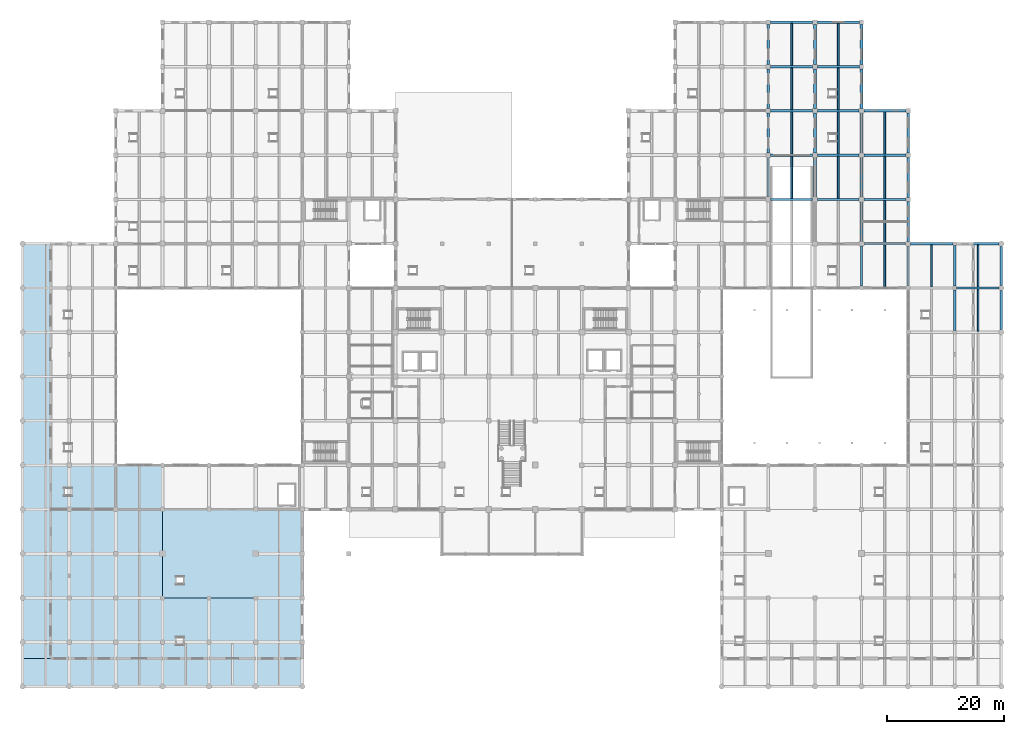
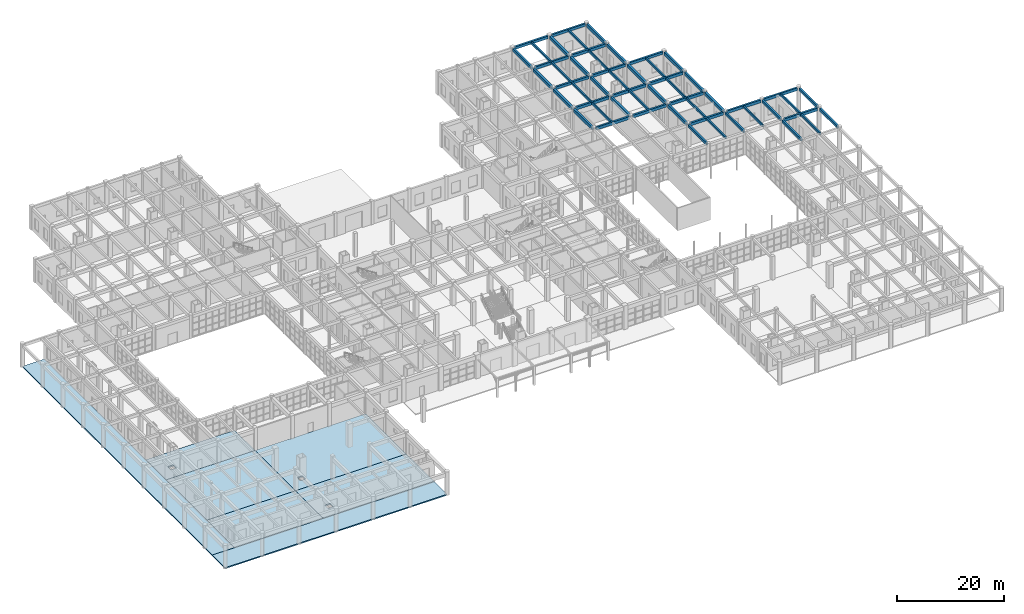
# One storey, part 57 of 95: 54 beams, 7 slabs.
"""IFC4 building model written with IfcOpenShell, lengths in metres."""

from ifc_helpers import new_model, si_unit, direction, frame, origin, origin_2d, place, context, subcontext, project, spatial, polyline, rectangle, outline, extrude, material, layer, layer_set, material_profile, profile_set, type_object, element, save


model = new_model("IFC4")

# Units and contexts
model_context = context("Model", 3, precision=1e-05, world=origin(), true_north=direction((0.0, 1.0)))
body_context = subcontext(model_context, "Body", "Model", "MODEL_VIEW")
ifc_project = project(units=[si_unit("LENGTHUNIT", "METRE"), si_unit("AREAUNIT", "SQUARE_METRE"), si_unit("VOLUMEUNIT", "CUBIC_METRE"), si_unit("PLANEANGLEUNIT", "RADIAN"), si_unit("MASSUNIT", "GRAM", prefix="KILO")], contexts=[model_context])

# Site, building, storey
site_placement = place(None, origin())
site = spatial("IfcSite", under=ifc_project, at=site_placement, CompositionType="ELEMENT")
building_placement = place(site_placement, origin())
building = spatial("IfcBuilding", under=site, at=building_placement, Name="Zantavel Square City Hall", CompositionType="ELEMENT")
storey_placement = place(building_placement, origin())
storey = spatial("IfcBuildingStorey", under=building, at=storey_placement, Name="L01", CompositionType="ELEMENT", Elevation=0.0)

# Beams
ifc_material_1 = material(Name="Concrete C35/45", Category="concrete")
ifc_material_profile_1 = material_profile(ifc_material_1, rectangle(XDim=0.3798828125, YDim=0.580078125, at=origin_2d()), Name="RC 380x580")
ifc_profile_set_1 = profile_set([ifc_material_profile_1], Name="Concrete C35/45")
beam_type_1 = type_object("IfcBeamType", Name="Annex Secondary Beam RC 380x580 C35/45", PredefinedType="BEAM", material=ifc_profile_set_1)
beam_1_placement = place(storey_placement, frame((144.0, 68.77490234375, 4.8701171875), z_axis=(0.0, 1.0, 0.0), x_axis=(-1.0, 0.0, 0.0)))
element("IfcBeam", 1, at=beam_1_placement, inside=storey, type_object=beam_type_1, Name="L01 Beam BMY-L01-1440-0684", PredefinedType="BEAM", context=body_context, shape_type="SweptSolid", body=[
    extrude(rectangle(XDim=0.3798828125, YDim=0.580078125, at=origin_2d()), origin(), (0.0, 0.0, 1.0), 6.8251953125),
])
beam_2_placement = place(storey_placement, frame((152.0, 68.77490234375, 4.8701171875), z_axis=(0.0, 1.0, 0.0), x_axis=(-1.0, 0.0, 0.0)))
element("IfcBeam", 2, at=beam_2_placement, inside=storey, type_object=beam_type_1, Name="L01 Beam BMY-L01-1520-0684", PredefinedType="BEAM", context=body_context, shape_type="SweptSolid", body=[
    extrude(rectangle(XDim=0.3798828125, YDim=0.580078125, at=origin_2d()), origin(), (0.0, 0.0, 1.0), 6.85009765625),
])
ifc_material_profile_2 = material_profile(ifc_material_1, rectangle(XDim=0.300048828125, YDim=0.5, at=origin_2d()), Name="RC 300x500")
ifc_profile_set_2 = profile_set([ifc_material_profile_2], Name="Concrete C35/45")
beam_type_2 = type_object("IfcBeamType", Name="Floor Joist RC 300x500 C35/45", PredefinedType="JOIST", material=ifc_profile_set_2)
beam_3_placement = place(storey_placement, frame((132.0, 83.800048828125, 4.909912109375), z_axis=(0.0, 1.0, 0.0), x_axis=(-1.0, 0.0, 0.0)))
element("IfcBeam", 3, at=beam_3_placement, inside=storey, type_object=beam_type_2, Name="L01 Floor Joist JST-L01-1320-0836", PredefinedType="JOIST", context=body_context, shape_type="SweptSolid", body=[
    extrude(rectangle(XDim=0.300048828125, YDim=0.5, at=origin_2d()), origin(), (0.0, 0.0, 1.0), 7.199951171875),
])
beam_4_placement = place(storey_placement, frame((132.0, 91.39990234375, 4.909912109375), z_axis=(0.0, 1.0, 0.0), x_axis=(-1.0, 0.0, 0.0)))
element("IfcBeam", 4, at=beam_4_placement, inside=storey, type_object=beam_type_2, Name="L01 Floor Joist JST-L01-1320-0912", PredefinedType="JOIST", context=body_context, shape_type="SweptSolid", body=[
    extrude(rectangle(XDim=0.300048828125, YDim=0.5, at=origin_2d()), origin(), (0.0, 0.0, 1.0), 7.2001953125),
])
for number, where, z_axis, x_axis, name in (
    (5, (132.0, 99.0, 4.909912109375), (0.0, 1.0, 0.0), (-1.0, 0.0, 0.0), "L01 Floor Joist JST-L01-1320-0988"),
    (6, (132.0, 106.60009765625, 4.909912109375), (0.0, 1.0, 0.0), (-1.0, 0.0, 0.0), "L01 Floor Joist JST-L01-1320-1064"),
    (7, (140.0, 83.800048828125, 4.909912109375), (0.0, 1.0, 0.0), (-1.0, 0.0, 0.0), "L01 Floor Joist JST-L01-1400-0836"),
):
    element("IfcBeam", number, at=place(storey_placement, frame(where, z_axis=z_axis, x_axis=x_axis)), inside=storey, type_object=beam_type_2, Name=name, PredefinedType="JOIST", context=body_context, shape_type="SweptSolid", body=[
        extrude(rectangle(XDim=0.300048828125, YDim=0.5, at=origin_2d()), origin(), (0.0, 0.0, 1.0), 7.199951171875),
    ])
beam_5_placement = place(storey_placement, frame((140.0, 91.39990234375, 4.909912109375), z_axis=(0.0, 1.0, 0.0), x_axis=(-1.0, 0.0, 0.0)))
element("IfcBeam", 8, at=beam_5_placement, inside=storey, type_object=beam_type_2, Name="L01 Floor Joist JST-L01-1400-0912", PredefinedType="JOIST", context=body_context, shape_type="SweptSolid", body=[
    extrude(rectangle(XDim=0.300048828125, YDim=0.5, at=origin_2d()), origin(), (0.0, 0.0, 1.0), 7.2001953125),
])
for number, where, z_axis, x_axis, name in (
    (9, (140.0, 99.0, 4.909912109375), (0.0, 1.0, 0.0), (-1.0, 0.0, 0.0), "L01 Floor Joist JST-L01-1400-0988"),
    (10, (140.0, 106.60009765625, 4.909912109375), (0.0, 1.0, 0.0), (-1.0, 0.0, 0.0), "L01 Floor Joist JST-L01-1400-1064"),
):
    element("IfcBeam", number, at=place(storey_placement, frame(where, z_axis=z_axis, x_axis=x_axis)), inside=storey, type_object=beam_type_2, Name=name, PredefinedType="JOIST", context=body_context, shape_type="SweptSolid", body=[
        extrude(rectangle(XDim=0.300048828125, YDim=0.5, at=origin_2d()), origin(), (0.0, 0.0, 1.0), 7.199951171875),
    ])
beam_6_placement = place(storey_placement, frame((148.0, 68.625, 4.909912109375), z_axis=(0.0, 1.0, 0.0), x_axis=(-1.0, 0.0, 0.0)))
element("IfcBeam", 11, at=beam_6_placement, inside=storey, type_object=beam_type_2, Name="L01 Floor Joist JST-L01-1480-0684", PredefinedType="JOIST", context=body_context, shape_type="SweptSolid", body=[
    extrude(rectangle(XDim=0.300048828125, YDim=0.5, at=origin_2d()), origin(), (0.0, 0.0, 1.0), 7.175048828125),
])
for number, where, z_axis, x_axis, name in (
    (12, (148.0, 76.199951171875, 4.909912109375), (0.0, 1.0, 0.0), (-1.0, 0.0, 0.0), "L01 Floor Joist JST-L01-1480-0760"),
    (13, (148.0, 83.800048828125, 4.909912109375), (0.0, 1.0, 0.0), (-1.0, 0.0, 0.0), "L01 Floor Joist JST-L01-1480-0836"),
):
    element("IfcBeam", number, at=place(storey_placement, frame(where, z_axis=z_axis, x_axis=x_axis)), inside=storey, type_object=beam_type_2, Name=name, PredefinedType="JOIST", context=body_context, shape_type="SweptSolid", body=[
        extrude(rectangle(XDim=0.300048828125, YDim=0.5, at=origin_2d()), origin(), (0.0, 0.0, 1.0), 7.199951171875),
    ])
beam_7_placement = place(storey_placement, frame((148.0, 91.39990234375, 4.909912109375), z_axis=(0.0, 1.0, 0.0), x_axis=(-1.0, 0.0, 0.0)))
element("IfcBeam", 14, at=beam_7_placement, inside=storey, type_object=beam_type_2, Name="L01 Floor Joist JST-L01-1480-0912", PredefinedType="JOIST", context=body_context, shape_type="SweptSolid", body=[
    extrude(rectangle(XDim=0.300048828125, YDim=0.5, at=origin_2d()), origin(), (0.0, 0.0, 1.0), 7.2001953125),
])
for number, where, z_axis, x_axis, name in (
    (15, (156.0, 68.60009765625, 4.909912109375), (0.0, 1.0, 0.0), (-1.0, 0.0, 0.0), "L01 Floor Joist JST-L01-1560-0684"),
    (16, (164.0, 61.0, 4.89990234375), (0.0, 1.0, 0.0), (-1.0, 0.0, 0.0), "L01 Floor Joist JST-L01-1640-0608"),
    (17, (164.0, 68.60009765625, 4.89990234375), (0.0, 1.0, 0.0), (-1.0, 0.0, 0.0), "L01 Floor Joist JST-L01-1640-0684"),
):
    element("IfcBeam", number, at=place(storey_placement, frame(where, z_axis=z_axis, x_axis=x_axis)), inside=storey, type_object=beam_type_2, Name=name, PredefinedType="JOIST", context=body_context, shape_type="SweptSolid", body=[
        extrude(rectangle(XDim=0.300048828125, YDim=0.5, at=origin_2d()), origin(), (0.0, 0.0, 1.0), 7.199951171875),
    ])
ifc_material_profile_3 = material_profile(ifc_material_1, rectangle(XDim=0.39990234375, YDim=0.64990234375, at=origin_2d()), Name="RC 400x650")
ifc_profile_set_3 = profile_set([ifc_material_profile_3], Name="Concrete C35/45")
beam_type_3 = type_object("IfcBeamType", Name="Frame Beam RC 400x650 C35/45", PredefinedType="BEAM", material=ifc_profile_set_3)
for number, where, z_axis, x_axis, name in (
    (18, (128.39990234375, 83.60009765625, 4.8349609375), (1.0, 0.0, 0.0), (0.0, 1.0, 0.0), "L01 Girder BMX-L01-1280-0836"),
    (19, (128.39990234375, 91.199951171875, 4.8349609375), (1.0, 0.0, 0.0), (0.0, 1.0, 0.0), "L01 Girder BMX-L01-1280-0912"),
    (20, (128.39990234375, 106.39990234375, 4.8349609375), (1.0, 0.0, 0.0), (0.0, 1.0, 0.0), "L01 Girder BMX-L01-1280-1064"),
    (21, (136.39990234375, 83.60009765625, 4.8349609375), (1.0, 0.0, 0.0), (0.0, 1.0, 0.0), "L01 Girder BMX-L01-1360-0836"),
    (22, (136.39990234375, 91.199951171875, 4.8349609375), (1.0, 0.0, 0.0), (0.0, 1.0, 0.0), "L01 Girder BMX-L01-1360-0912"),
):
    element("IfcBeam", number, at=place(storey_placement, frame(where, z_axis=z_axis, x_axis=x_axis)), inside=storey, type_object=beam_type_3, Name=name, PredefinedType="BEAM", context=body_context, shape_type="SweptSolid", body=[
        extrude(rectangle(XDim=0.39990234375, YDim=0.64990234375, at=origin_2d()), origin(), (0.0, 0.0, 1.0), 7.2001953125),
    ])
for number, where, z_axis, x_axis, name in (
    (23, (136.39990234375, 106.39990234375, 4.8349609375), (1.0, 0.0, 0.0), (0.0, 1.0, 0.0), "L01 Girder BMX-L01-1360-1064"),
    (24, (144.39990234375, 76.0, 4.8349609375), (1.0, 0.0, 0.0), (0.0, 1.0, 0.0), "L01 Girder BMX-L01-1440-0760"),
    (25, (144.39990234375, 83.60009765625, 4.8349609375), (1.0, 0.0, 0.0), (0.0, 1.0, 0.0), "L01 Girder BMX-L01-1440-0836"),
    (26, (144.39990234375, 91.199951171875, 4.8349609375), (1.0, 0.0, 0.0), (0.0, 1.0, 0.0), "L01 Girder BMX-L01-1440-0912"),
):
    element("IfcBeam", number, at=place(storey_placement, frame(where, z_axis=z_axis, x_axis=x_axis)), inside=storey, type_object=beam_type_3, Name=name, PredefinedType="BEAM", context=body_context, shape_type="SweptSolid", body=[
        extrude(rectangle(XDim=0.39990234375, YDim=0.64990234375, at=origin_2d()), origin(), (0.0, 0.0, 1.0), 7.22509765625),
    ])
beam_8_placement = place(storey_placement, frame((152.375, 76.0, 4.8349609375), z_axis=(1.0, 0.0, 0.0), x_axis=(0.0, 1.0, 0.0)))
element("IfcBeam", 27, at=beam_8_placement, inside=storey, type_object=beam_type_3, Name="L01 Girder BMX-L01-1520-0760", PredefinedType="BEAM", context=body_context, shape_type="SweptSolid", body=[
    extrude(rectangle(XDim=0.39990234375, YDim=0.64990234375, at=origin_2d()), origin(), (0.0, 0.0, 1.0), 7.300048828125),
])
for number, where, z_axis, x_axis, name in (
    (28, (160.324951171875, 68.39990234375, 4.824951171875), (1.0, 0.0, 0.0), (0.0, 1.0, 0.0), "L01 Girder BMX-L01-1600-0684"),
    (29, (160.324951171875, 76.0, 4.824951171875), (1.0, 0.0, 0.0), (0.0, 1.0, 0.0), "L01 Girder BMX-L01-1600-0760"),
):
    element("IfcBeam", number, at=place(storey_placement, frame(where, z_axis=z_axis, x_axis=x_axis)), inside=storey, type_object=beam_type_3, Name=name, PredefinedType="BEAM", context=body_context, shape_type="SweptSolid", body=[
        extrude(rectangle(XDim=0.39990234375, YDim=0.64990234375, at=origin_2d()), origin(), (0.0, 0.0, 1.0), 7.22509765625),
    ])
ifc_material_profile_4 = material_profile(ifc_material_1, rectangle(XDim=0.39990234375, YDim=0.60009765625, at=origin_2d()), Name="RC 400x600")
ifc_profile_set_4 = profile_set([ifc_material_profile_4], Name="Concrete C35/45")
beam_type_4 = type_object("IfcBeamType", Name="Perimeter Spandrel RC 400x600 C35/45", PredefinedType="SPANDREL", material=ifc_profile_set_4)
for number, where, z_axis, x_axis, name in (
    (30, (128.39990234375, 98.800048828125, 4.860107421875), (1.0, 0.0, 0.0), (0.0, 1.0, 0.0), "L01 Girder BMX-L01-1280-0988"),
    (31, (128.39990234375, 114.0, 4.860107421875), (1.0, 0.0, 0.0), (0.0, 1.0, 0.0), "L01 Girder BMX-L01-1280-1140"),
    (32, (136.39990234375, 98.800048828125, 4.860107421875), (1.0, 0.0, 0.0), (0.0, 1.0, 0.0), "L01 Girder BMX-L01-1360-0988"),
):
    element("IfcBeam", number, at=place(storey_placement, frame(where, z_axis=z_axis, x_axis=x_axis)), inside=storey, type_object=beam_type_4, Name=name, PredefinedType="SPANDREL", context=body_context, shape_type="SweptSolid", body=[
        extrude(rectangle(XDim=0.39990234375, YDim=0.60009765625, at=origin_2d()), origin(), (0.0, 0.0, 1.0), 7.2001953125),
    ])
for number, where, z_axis, x_axis, name in (
    (33, (136.39990234375, 114.0, 4.860107421875), (1.0, 0.0, 0.0), (0.0, 1.0, 0.0), "L01 Girder BMX-L01-1360-1140"),
    (34, (144.39990234375, 98.800048828125, 4.860107421875), (1.0, 0.0, 0.0), (0.0, 1.0, 0.0), "L01 Girder BMX-L01-1440-0988"),
):
    element("IfcBeam", number, at=place(storey_placement, frame(where, z_axis=z_axis, x_axis=x_axis)), inside=storey, type_object=beam_type_4, Name=name, PredefinedType="SPANDREL", context=body_context, shape_type="SweptSolid", body=[
        extrude(rectangle(XDim=0.39990234375, YDim=0.60009765625, at=origin_2d()), origin(), (0.0, 0.0, 1.0), 7.22509765625),
    ])
for number, where, z_axis, x_axis, name in (
    (35, (160.0, 61.125, 4.860107421875), (0.0, 1.0, 0.0), (-1.0, 0.0, 0.0), "L01 Beam BMY-L01-1600-0608"),
    (36, (160.0, 68.72509765625, 4.860107421875), (0.0, 1.0, 0.0), (-1.0, 0.0, 0.0), "L01 Beam BMY-L01-1600-0684"),
):
    element("IfcBeam", number, at=place(storey_placement, frame(where, z_axis=z_axis, x_axis=x_axis)), inside=storey, type_object=beam_type_4, Name=name, PredefinedType="SPANDREL", context=body_context, shape_type="SweptSolid", body=[
        extrude(rectangle(XDim=0.39990234375, YDim=0.60009765625, at=origin_2d()), origin(), (0.0, 0.0, 1.0), 6.949951171875),
    ])
for number, where, z_axis, x_axis, name in (
    (37, (168.0, 61.25, 4.85009765625), (0.0, 1.0, 0.0), (-1.0, 0.0, 0.0), "L01 Beam BMY-L01-1680-0608"),
    (38, (168.0, 68.85009765625, 4.85009765625), (0.0, 1.0, 0.0), (-1.0, 0.0, 0.0), "L01 Beam BMY-L01-1680-0684"),
):
    element("IfcBeam", number, at=place(storey_placement, frame(where, z_axis=z_axis, x_axis=x_axis)), inside=storey, type_object=beam_type_4, Name=name, PredefinedType="SPANDREL", context=body_context, shape_type="SweptSolid", body=[
        extrude(rectangle(XDim=0.39990234375, YDim=0.60009765625, at=origin_2d()), origin(), (0.0, 0.0, 1.0), 6.699951171875),
    ])
ifc_material_profile_5 = material_profile(ifc_material_1, rectangle(XDim=0.449951171875, YDim=0.699951171875, at=origin_2d()), Name="RC 450x700")
ifc_profile_set_5 = profile_set([ifc_material_profile_5], Name="Concrete C35/45")
beam_type_5 = type_object("IfcBeamType", Name="Primary Girder RC 450x700 C35/45", PredefinedType="BEAM", material=ifc_profile_set_5)
beam_9_placement = place(storey_placement, frame((128.0, 84.0, 4.81005859375), z_axis=(0.0, 1.0, 0.0), x_axis=(-1.0, 0.0, 0.0)))
element("IfcBeam", 39, at=beam_9_placement, inside=storey, type_object=beam_type_5, Name="L01 Beam BMY-L01-1280-0836", PredefinedType="BEAM", context=body_context, shape_type="SweptSolid", body=[
    extrude(rectangle(XDim=0.449951171875, YDim=0.699951171875, at=origin_2d()), origin(), (0.0, 0.0, 1.0), 6.800048828125),
])
beam_10_placement = place(storey_placement, frame((128.0, 91.60009765625, 4.81005859375), z_axis=(0.0, 1.0, 0.0), x_axis=(-1.0, 0.0, 0.0)))
element("IfcBeam", 40, at=beam_10_placement, inside=storey, type_object=beam_type_5, Name="L01 Beam BMY-L01-1280-0912", PredefinedType="BEAM", context=body_context, shape_type="SweptSolid", body=[
    extrude(rectangle(XDim=0.449951171875, YDim=0.699951171875, at=origin_2d()), origin(), (0.0, 0.0, 1.0), 6.7998046875),
])
for number, where, z_axis, x_axis, name in (
    (41, (128.0, 99.199951171875, 4.81005859375), (0.0, 1.0, 0.0), (-1.0, 0.0, 0.0), "L01 Beam BMY-L01-1280-0988"),
    (42, (128.0, 106.800048828125, 4.81005859375), (0.0, 1.0, 0.0), (-1.0, 0.0, 0.0), "L01 Beam BMY-L01-1280-1064"),
    (43, (136.0, 84.0, 4.81005859375), (0.0, 1.0, 0.0), (-1.0, 0.0, 0.0), "L01 Beam BMY-L01-1360-0836"),
):
    element("IfcBeam", number, at=place(storey_placement, frame(where, z_axis=z_axis, x_axis=x_axis)), inside=storey, type_object=beam_type_5, Name=name, PredefinedType="BEAM", context=body_context, shape_type="SweptSolid", body=[
        extrude(rectangle(XDim=0.449951171875, YDim=0.699951171875, at=origin_2d()), origin(), (0.0, 0.0, 1.0), 6.800048828125),
    ])
beam_11_placement = place(storey_placement, frame((136.0, 91.60009765625, 4.81005859375), z_axis=(0.0, 1.0, 0.0), x_axis=(-1.0, 0.0, 0.0)))
element("IfcBeam", 44, at=beam_11_placement, inside=storey, type_object=beam_type_5, Name="L01 Beam BMY-L01-1360-0912", PredefinedType="BEAM", context=body_context, shape_type="SweptSolid", body=[
    extrude(rectangle(XDim=0.449951171875, YDim=0.699951171875, at=origin_2d()), origin(), (0.0, 0.0, 1.0), 6.7998046875),
])
for number, where, z_axis, x_axis, name in (
    (45, (136.0, 99.199951171875, 4.81005859375), (0.0, 1.0, 0.0), (-1.0, 0.0, 0.0), "L01 Beam BMY-L01-1360-0988"),
    (46, (136.0, 106.800048828125, 4.81005859375), (0.0, 1.0, 0.0), (-1.0, 0.0, 0.0), "L01 Beam BMY-L01-1360-1064"),
    (47, (144.0, 76.39990234375, 4.81005859375), (0.0, 1.0, 0.0), (-1.0, 0.0, 0.0), "L01 Beam BMY-L01-1440-0760"),
    (48, (144.0, 84.0, 4.81005859375), (0.0, 1.0, 0.0), (-1.0, 0.0, 0.0), "L01 Beam BMY-L01-1440-0836"),
):
    element("IfcBeam", number, at=place(storey_placement, frame(where, z_axis=z_axis, x_axis=x_axis)), inside=storey, type_object=beam_type_5, Name=name, PredefinedType="BEAM", context=body_context, shape_type="SweptSolid", body=[
        extrude(rectangle(XDim=0.449951171875, YDim=0.699951171875, at=origin_2d()), origin(), (0.0, 0.0, 1.0), 6.800048828125),
    ])
beam_12_placement = place(storey_placement, frame((144.0, 91.60009765625, 4.81005859375), z_axis=(0.0, 1.0, 0.0), x_axis=(-1.0, 0.0, 0.0)))
element("IfcBeam", 49, at=beam_12_placement, inside=storey, type_object=beam_type_5, Name="L01 Beam BMY-L01-1440-0912", PredefinedType="BEAM", context=body_context, shape_type="SweptSolid", body=[
    extrude(rectangle(XDim=0.449951171875, YDim=0.699951171875, at=origin_2d()), origin(), (0.0, 0.0, 1.0), 6.7998046875),
])
beam_13_placement = place(storey_placement, frame((144.0, 99.199951171875, 4.81005859375), z_axis=(0.0, 1.0, 0.0), x_axis=(-1.0, 0.0, 0.0)))
element("IfcBeam", 50, at=beam_13_placement, inside=storey, type_object=beam_type_5, Name="L01 Beam BMY-L01-1440-0988", PredefinedType="BEAM", context=body_context, shape_type="SweptSolid", body=[
    extrude(rectangle(XDim=0.449951171875, YDim=0.699951171875, at=origin_2d()), origin(), (0.0, 0.0, 1.0), 6.824951171875),
])
for number, where, z_axis, x_axis, name in (
    (51, (144.0, 106.77490234375, 4.81005859375), (0.0, 1.0, 0.0), (-1.0, 0.0, 0.0), "L01 Beam BMY-L01-1440-1064"),
    (52, (152.0, 76.375, 4.81005859375), (0.0, 1.0, 0.0), (-1.0, 0.0, 0.0), "L01 Beam BMY-L01-1520-0760"),
):
    element("IfcBeam", number, at=place(storey_placement, frame(where, z_axis=z_axis, x_axis=x_axis)), inside=storey, type_object=beam_type_5, Name=name, PredefinedType="BEAM", context=body_context, shape_type="SweptSolid", body=[
        extrude(rectangle(XDim=0.449951171875, YDim=0.699951171875, at=origin_2d()), origin(), (0.0, 0.0, 1.0), 6.85009765625),
    ])
beam_14_placement = place(storey_placement, frame((152.0, 83.97509765625, 4.81005859375), z_axis=(0.0, 1.0, 0.0), x_axis=(-1.0, 0.0, 0.0)))
element("IfcBeam", 53, at=beam_14_placement, inside=storey, type_object=beam_type_5, Name="L01 Beam BMY-L01-1520-0836", PredefinedType="BEAM", context=body_context, shape_type="SweptSolid", body=[
    extrude(rectangle(XDim=0.449951171875, YDim=0.699951171875, at=origin_2d()), origin(), (0.0, 0.0, 1.0), 6.849853515625),
])
beam_15_placement = place(storey_placement, frame((152.0, 91.574951171875, 4.81005859375), z_axis=(0.0, 1.0, 0.0), x_axis=(-1.0, 0.0, 0.0)))
element("IfcBeam", 54, at=beam_15_placement, inside=storey, type_object=beam_type_5, Name="L01 Beam BMY-L01-1520-0912", PredefinedType="BEAM", context=body_context, shape_type="SweptSolid", body=[
    extrude(rectangle(XDim=0.449951171875, YDim=0.699951171875, at=origin_2d()), origin(), (0.0, 0.0, 1.0), 6.85009765625),
])

# Slabs
ifc_material_2 = material(Name="Concrete C40/50", Category="concrete")
ifc_layer_1 = layer(ifc_material_2, 0.320068359375, Name="Concrete C40/50")
ifc_layer_set_1 = layer_set([ifc_layer_1], Name="Concrete C40/50")
slab_type_1 = type_object("IfcSlabType", Name="Archive Vault Heavy Slab 320mm C40/50", PredefinedType="FLOOR", material=ifc_layer_set_1)
slab_1_placement = place(storey_placement, frame((0.0, 0.0, -0.320068359375)))
element("IfcSlab", 55, at=slab_1_placement, inside=storey, type_object=slab_type_1, Name="L01 Floor Slab SLB-L01-V3S-01", PredefinedType="FLOOR", context=body_context, shape_type="SweptSolid", body=[
    extrude(outline(polyline([(4.800048828125, 4.800048828125), (4.800048828125, 15.199951171875), (24.0, 15.199951171875), (24.0, 4.800048828125), (4.800048828125, 4.800048828125)])), origin(), (0.0, 0.0, 1.0), 0.320068359375),
])
slab_2_placement = place(storey_placement, frame((0.0, 0.0, -0.320068359375)))
element("IfcSlab", 56, at=slab_2_placement, inside=storey, type_object=slab_type_1, Name="L01 Floor Slab SLB-L01-V3S-02", PredefinedType="FLOOR", context=body_context, shape_type="SweptSolid", body=[
    extrude(outline(polyline([(48.0, 4.800048828125), (24.0, 4.800048828125), (24.0, 15.199951171875), (48.0, 15.199951171875), (48.0, 4.800048828125)]), holes=[polyline([(27.60009765625, 8.39990234375), (26.39990234375, 8.39990234375), (26.39990234375, 7.199951171875), (27.60009765625, 7.199951171875), (27.60009765625, 8.39990234375)])]), origin(), (0.0, 0.0, 1.0), 0.320068359375),
])
slab_3_placement = place(storey_placement, frame((0.0, 0.0, -0.320068359375)))
element("IfcSlab", 57, at=slab_3_placement, inside=storey, type_object=slab_type_1, Name="L01 Floor Slab SLB-L01-V3S-03", PredefinedType="FLOOR", context=body_context, shape_type="SweptSolid", body=[
    extrude(outline(polyline([(4.800048828125, 30.39990234375), (24.0, 30.39990234375), (24.0, 15.199951171875), (4.800048828125, 15.199951171875), (4.800048828125, 30.39990234375)])), origin(), (0.0, 0.0, 1.0), 0.320068359375),
])
slab_4_placement = place(storey_placement, frame((0.0, 0.0, -0.320068359375)))
element("IfcSlab", 58, at=slab_4_placement, inside=storey, type_object=slab_type_1, Name="L01 Floor Slab SLB-L01-V3S-04", PredefinedType="FLOOR", context=body_context, shape_type="SweptSolid", body=[
    extrude(outline(polyline([(48.0, 15.199951171875), (24.0, 15.199951171875), (24.0, 30.39990234375), (48.0, 30.39990234375), (48.0, 15.199951171875)]), holes=[polyline([(27.60009765625, 18.800048828125), (26.39990234375, 18.800048828125), (26.39990234375, 17.60009765625), (27.60009765625, 17.60009765625), (27.60009765625, 18.800048828125)])]), origin(), (0.0, 0.0, 1.0), 0.320068359375),
])
slab_5_placement = place(storey_placement, frame((0.0, 0.0, -0.320068359375)))
element("IfcSlab", 59, at=slab_5_placement, inside=storey, type_object=slab_type_1, Name="L01 Floor Slab SLB-L01-V3S-05", PredefinedType="FLOOR", context=body_context, shape_type="SweptSolid", body=[
    extrude(outline(polyline([(24.0, 38.0), (24.0, 30.39990234375), (4.800048828125, 30.39990234375), (4.800048828125, 38.0), (24.0, 38.0)]), holes=[polyline([(8.39990234375, 34.0), (7.199951171875, 34.0), (7.199951171875, 32.800048828125), (8.39990234375, 32.800048828125), (8.39990234375, 34.0)])]), origin(), (0.0, 0.0, 1.0), 0.320068359375),
])
ifc_layer_2 = layer(ifc_material_1, 0.25, Name="Concrete C35/45")
ifc_layer_set_2 = layer_set([ifc_layer_2], Name="Concrete C35/45")
slab_type_2 = type_object("IfcSlabType", Name="Portales Promenade Deck Slab 250mm C35/45", PredefinedType="FLOOR", material=ifc_layer_set_2)
slab_6_placement = place(storey_placement, frame((0.0, 0.0, -0.25)))
element("IfcSlab", 60, at=slab_6_placement, inside=storey, type_object=slab_type_2, Name="L01 Outdoor Terrace Slab SLB-L01-PORT-WS", PredefinedType="FLOOR", context=body_context, shape_type="SweptSolid", body=[
    extrude(outline(polyline([(48.0, 0.0), (0.0, 0.0), (0.0, 4.800048828125), (4.800048828125, 4.800048828125), (24.0, 4.800048828125), (48.0, 4.800048828125), (48.0, 0.0)])), origin(), (0.0, 0.0, 1.0), 0.25),
])
slab_7_placement = place(storey_placement, frame((0.0, 0.0, -0.25)))
element("IfcSlab", 61, at=slab_7_placement, inside=storey, type_object=slab_type_2, Name="L01 Outdoor Terrace Slab SLB-L01-PORT-WW", PredefinedType="FLOOR", context=body_context, shape_type="SweptSolid", body=[
    extrude(outline(polyline([(4.800048828125, 4.800048828125), (0.0, 4.800048828125), (0.0, 76.0), (4.800048828125, 76.0), (4.800048828125, 60.800048828125), (4.800048828125, 38.0), (4.800048828125, 30.39990234375), (4.800048828125, 15.199951171875), (4.800048828125, 4.800048828125)])), origin(), (0.0, 0.0, 1.0), 0.25),
])

save(model, "model.ifc")
